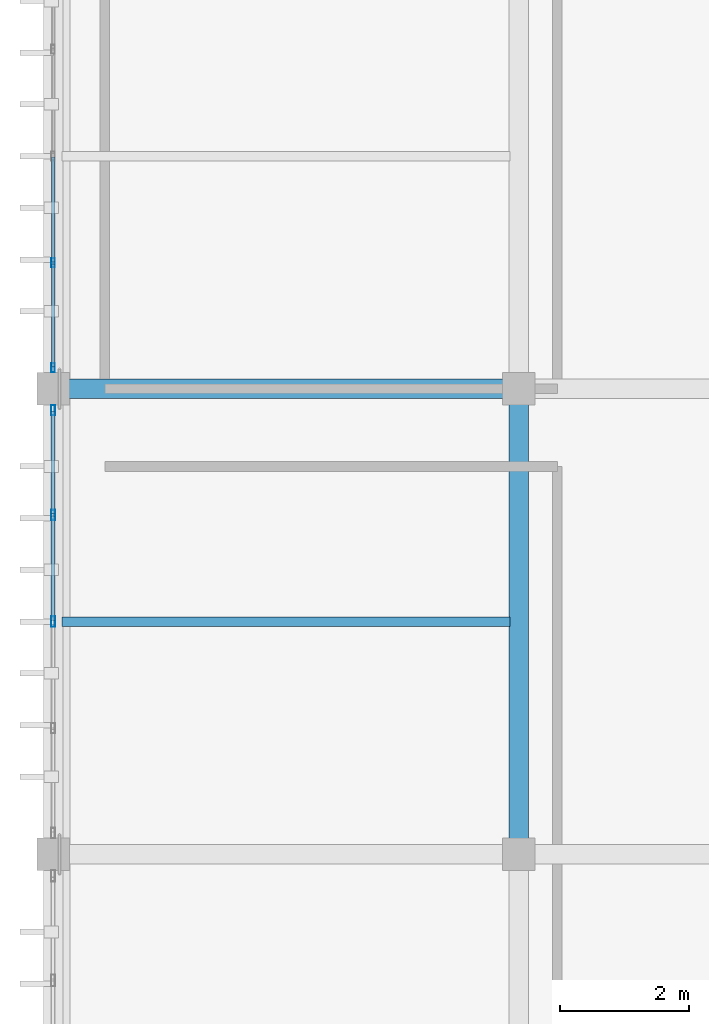
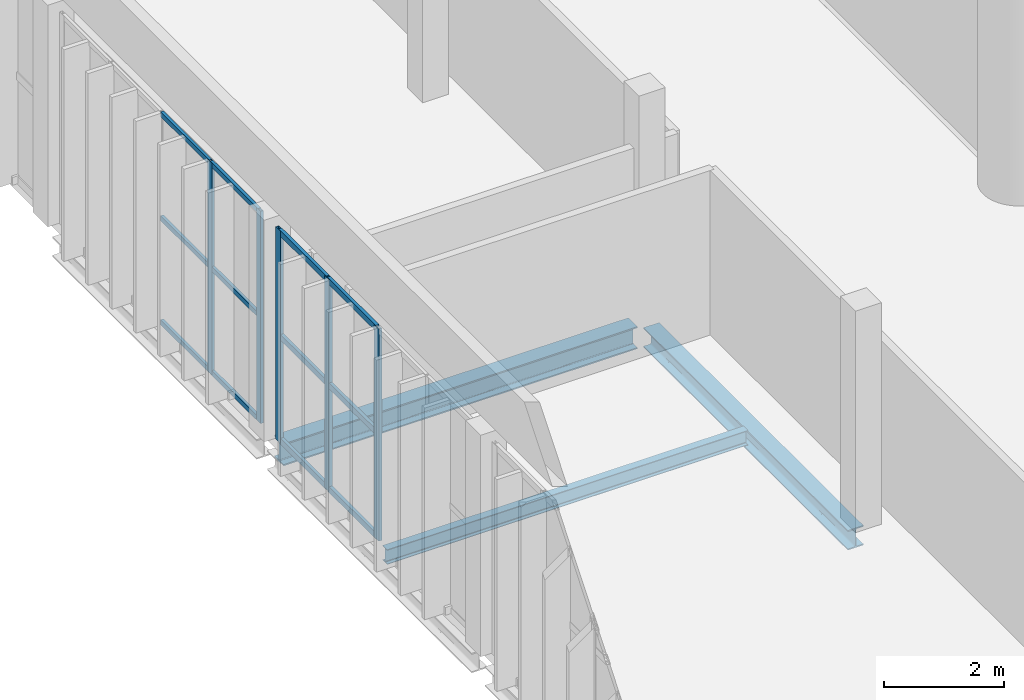
# One storey, part 25 of 64: 17 members, 3 beams, 2 elements without a shape of their own.
"""IFC4 building model written with IfcOpenShell, lengths in metres."""

from ifc_helpers import new_model, si_unit, direction, frame, origin, origin_2d, place, context, subcontext, project, spatial, hollow_rectangle, i_section, extrude, material, material_profile, profile_set, type_object, element, aggregate, save


model = new_model("IFC4")

# Units and contexts
model_context = context("Model", 3, precision=1e-05, world=origin(), true_north=direction((0.0, 1.0)))
body_context = subcontext(model_context, "Body", "Model", "MODEL_VIEW")
ifc_project = project(units=[si_unit("LENGTHUNIT", "METRE"), si_unit("AREAUNIT", "SQUARE_METRE"), si_unit("VOLUMEUNIT", "CUBIC_METRE"), si_unit("PLANEANGLEUNIT", "RADIAN"), si_unit("MASSUNIT", "GRAM", prefix="KILO")], contexts=[model_context])

# Site, building, storey
site_placement = place(None, origin())
site = spatial("IfcSite", under=ifc_project, at=site_placement, CompositionType="ELEMENT")
building_placement = place(site_placement, origin())
building = spatial("IfcBuilding", under=site, at=building_placement, Name="Qandorah Velis Arena", CompositionType="ELEMENT")
storey_placement = place(building_placement, frame((0.0, 0.0, 23.0)))
storey = spatial("IfcBuildingStorey", under=building, at=storey_placement, Name="L05", CompositionType="ELEMENT", Elevation=23.0)

# Curtain wall, members
ifc_material_1 = material(Name="Solar-control low-E double glazing", Category="glass")
curtain_wall_type_1 = type_object("IfcCurtainWallType", Name="ARC-CW-SYS04", PredefinedType="USERDEFINED", material=ifc_material_1)
curtain_wall_1_placement = place(storey_placement, origin())
curtain_wall_1 = element("IfcCurtainWall", 1, at=curtain_wall_1_placement, inside=storey, type_object=curtain_wall_type_1, Name="Unitised curtain wall L05-052", ObjectType="UNITISED CURTAIN WALL", PredefinedType="USERDEFINED")
ifc_material_2 = material(Name="Champagne-bronze anodized aluminium 6063-T6", Category="aluminium")
ifc_material_profile_1 = material_profile(ifc_material_2, hollow_rectangle(XDim=0.054931640625, YDim=0.139892578125, WallThickness=0.0029296875, at=origin_2d()), Name="ALU MULLION 55x140")
ifc_profile_set_1 = profile_set([ifc_material_profile_1], Name="Champagne-bronze anodized aluminium 6063-T6")
member_type_1 = type_object("IfcMemberType", Name="ARC-CWM-140", PredefinedType="MULLION", material=ifc_profile_set_1)
member_1_placement = place(storey_placement, frame((0.0, 101.12744140625, -0.014892578125), z_axis=(0.0, 0.0, 1.0), x_axis=(-1.0, 0.0, 0.0)))
member_1 = element("IfcMember", 2, at=member_1_placement, type_object=member_type_1, Name="CW04 mullion 1", PredefinedType="MULLION", context=body_context, shape_type="SweptSolid", body=[
    extrude(hollow_rectangle(XDim=0.054931640625, YDim=0.139892578125, WallThickness=0.0029296875, at=origin_2d()), origin(), (0.0, 0.0, 1.0), 4.309814453125),
])
member_2_placement = place(storey_placement, frame((0.0, 102.75, -0.014892578125), z_axis=(0.0, 0.0, 1.0), x_axis=(-1.0, 0.0, 0.0)))
member_2 = element("IfcMember", 3, at=member_2_placement, type_object=member_type_1, Name="CW04 mullion 2", PredefinedType="MULLION", context=body_context, shape_type="SweptSolid", body=[
    extrude(hollow_rectangle(XDim=0.054931640625, YDim=0.139892578125, WallThickness=0.0029296875, at=origin_2d()), origin(), (0.0, 0.0, 1.0), 4.309814453125),
])

curtain_wall_type_2 = type_object("IfcCurtainWallType", Name="ARC-CW-SYS03", PredefinedType="USERDEFINED", material=ifc_material_1)
curtain_wall_2_placement = place(storey_placement, origin())
curtain_wall_2 = element("IfcCurtainWall", 4, at=curtain_wall_2_placement, inside=storey, type_object=curtain_wall_type_2, Name="Unitised curtain wall L05-051", ObjectType="UNITISED CURTAIN WALL", PredefinedType="USERDEFINED")
ifc_material_profile_2 = material_profile(ifc_material_2, hollow_rectangle(XDim=0.06005859375, YDim=0.159912109375, WallThickness=0.00341796875, at=origin_2d()), Name="ALU MULLION 60x160")
ifc_profile_set_2 = profile_set([ifc_material_profile_2], Name="Champagne-bronze anodized aluminium 6063-T6")
member_type_2 = type_object("IfcMemberType", Name="ARC-CWM-160", PredefinedType="MULLION", material=ifc_profile_set_2)
member_3_placement = place(storey_placement, frame((0.0, 97.199951171875, -0.014892578125), z_axis=(0.0, 0.0, 1.0), x_axis=(-1.0, 0.0, 0.0)))
member_3 = element("IfcMember", 5, at=member_3_placement, type_object=member_type_2, Name="CW03 mullion 3", PredefinedType="MULLION", context=body_context, shape_type="SweptSolid", body=[
    extrude(hollow_rectangle(XDim=0.06005859375, YDim=0.159912109375, WallThickness=0.00341796875, at=origin_2d()), origin(), (0.0, 0.0, 1.0), 4.309814453125),
])
member_4_placement = place(storey_placement, frame((0.0, 98.85009765625, -0.014892578125), z_axis=(0.0, 0.0, 1.0), x_axis=(-1.0, 0.0, 0.0)))
member_4 = element("IfcMember", 6, at=member_4_placement, type_object=member_type_2, Name="CW03 mullion 4", PredefinedType="MULLION", context=body_context, shape_type="SweptSolid", body=[
    extrude(hollow_rectangle(XDim=0.06005859375, YDim=0.159912109375, WallThickness=0.00341796875, at=origin_2d()), origin(), (0.0, 0.0, 1.0), 4.309814453125),
])
member_5_placement = place(storey_placement, frame((0.0, 100.469970703125, -0.014892578125), z_axis=(0.0, 0.0, 1.0), x_axis=(-1.0, 0.0, 0.0)))
member_5 = element("IfcMember", 7, at=member_5_placement, type_object=member_type_2, Name="CW03 mullion 5", PredefinedType="MULLION", context=body_context, shape_type="SweptSolid", body=[
    extrude(hollow_rectangle(XDim=0.06005859375, YDim=0.159912109375, WallThickness=0.00341796875, at=origin_2d()), origin(), (0.0, 0.0, 1.0), 4.309814453125),
])

# Member
ifc_material_profile_3 = material_profile(ifc_material_2, hollow_rectangle(XDim=0.054931640625, YDim=0.10009765625, WallThickness=0.0029296875, at=origin_2d()), Name="ALU TRANSOM 55x100")
ifc_profile_set_3 = profile_set([ifc_material_profile_3], Name="Champagne-bronze anodized aluminium 6063-T6")
member_type_3 = type_object("IfcMemberType", Name="ARC-CWT-100", PredefinedType="USERDEFINED", material=ifc_profile_set_3)
member_6_placement = place(storey_placement, frame((0.0, 101.14306640625, 0.027587890625), z_axis=(0.0, 1.0, 0.0), x_axis=(-1.0, 0.0, 0.0)))
member_6 = element("IfcMember", 8, at=member_6_placement, type_object=member_type_3, Name="CW04 transom 1.1", ObjectType="TRANSOM", PredefinedType="USERDEFINED", context=body_context, shape_type="SweptSolid", body=[
    extrude(hollow_rectangle(XDim=0.054931640625, YDim=0.10009765625, WallThickness=0.0029296875, at=origin_2d()), origin(), (0.0, 0.0, 1.0), 1.591552734375),
])

member_7_placement = place(storey_placement, frame((0.0, 101.14306640625, 2.139892578125), z_axis=(0.0, 1.0, 0.0), x_axis=(-1.0, 0.0, 0.0)))
member_7 = element("IfcMember", 9, at=member_7_placement, type_object=member_type_3, Name="CW04 transom 1.2", ObjectType="TRANSOM", PredefinedType="USERDEFINED", context=body_context, shape_type="SweptSolid", body=[
    extrude(hollow_rectangle(XDim=0.054931640625, YDim=0.10009765625, WallThickness=0.0029296875, at=origin_2d()), origin(), (0.0, 0.0, 1.0), 1.591552734375),
])

member_8_placement = place(storey_placement, frame((0.0, 101.14306640625, 4.25244140625), z_axis=(0.0, 1.0, 0.0), x_axis=(-1.0, 0.0, 0.0)))
member_8 = element("IfcMember", 10, at=member_8_placement, type_object=member_type_3, Name="CW04 transom 1.3", ObjectType="TRANSOM", PredefinedType="USERDEFINED", context=body_context, shape_type="SweptSolid", body=[
    extrude(hollow_rectangle(XDim=0.054931640625, YDim=0.10009765625, WallThickness=0.0029296875, at=origin_2d()), origin(), (0.0, 0.0, 1.0), 1.591552734375),
])

member_9_placement = place(storey_placement, frame((0.0, 102.765380859375, 0.027587890625), z_axis=(0.0, 1.0, 0.0), x_axis=(-1.0, 0.0, 0.0)))
member_9 = element("IfcMember", 11, at=member_9_placement, type_object=member_type_3, Name="CW04 transom 2.1", ObjectType="TRANSOM", PredefinedType="USERDEFINED", context=body_context, shape_type="SweptSolid", body=[
    extrude(hollow_rectangle(XDim=0.054931640625, YDim=0.10009765625, WallThickness=0.0029296875, at=origin_2d()), origin(), (0.0, 0.0, 1.0), 1.619140625),
])

member_10_placement = place(storey_placement, frame((0.0, 102.765380859375, 2.139892578125), z_axis=(0.0, 1.0, 0.0), x_axis=(-1.0, 0.0, 0.0)))
member_10 = element("IfcMember", 12, at=member_10_placement, type_object=member_type_3, Name="CW04 transom 2.2", ObjectType="TRANSOM", PredefinedType="USERDEFINED", context=body_context, shape_type="SweptSolid", body=[
    extrude(hollow_rectangle(XDim=0.054931640625, YDim=0.10009765625, WallThickness=0.0029296875, at=origin_2d()), origin(), (0.0, 0.0, 1.0), 1.619140625),
])

member_11_placement = place(storey_placement, frame((0.0, 102.765380859375, 4.25244140625), z_axis=(0.0, 1.0, 0.0), x_axis=(-1.0, 0.0, 0.0)))
member_11 = element("IfcMember", 13, at=member_11_placement, type_object=member_type_3, Name="CW04 transom 2.3", ObjectType="TRANSOM", PredefinedType="USERDEFINED", context=body_context, shape_type="SweptSolid", body=[
    extrude(hollow_rectangle(XDim=0.054931640625, YDim=0.10009765625, WallThickness=0.0029296875, at=origin_2d()), origin(), (0.0, 0.0, 1.0), 1.619140625),
])

aggregate(curtain_wall_1, [member_1, member_2, member_6, member_7, member_8, member_9, member_10, member_11])

ifc_material_profile_4 = material_profile(ifc_material_2, hollow_rectangle(XDim=0.06005859375, YDim=0.1201171875, WallThickness=0.0029296875, at=origin_2d()), Name="ALU TRANSOM 60x120")
ifc_profile_set_4 = profile_set([ifc_material_profile_4], Name="Champagne-bronze anodized aluminium 6063-T6")
member_type_4 = type_object("IfcMemberType", Name="ARC-CWT-120", PredefinedType="USERDEFINED", material=ifc_profile_set_4)
member_12_placement = place(storey_placement, frame((0.0, 97.218017578125, 0.030029296875), z_axis=(0.0, 1.0, 0.0), x_axis=(-1.0, 0.0, 0.0)))
member_12 = element("IfcMember", 14, at=member_12_placement, type_object=member_type_4, Name="CW03 transom 3.1", ObjectType="TRANSOM", PredefinedType="USERDEFINED", context=body_context, shape_type="SweptSolid", body=[
    extrude(hollow_rectangle(XDim=0.06005859375, YDim=0.1201171875, WallThickness=0.0029296875, at=origin_2d()), origin(), (0.0, 0.0, 1.0), 1.614013671875),
])

member_13_placement = place(storey_placement, frame((0.0, 97.218017578125, 2.139892578125), z_axis=(0.0, 1.0, 0.0), x_axis=(-1.0, 0.0, 0.0)))
member_13 = element("IfcMember", 15, at=member_13_placement, type_object=member_type_4, Name="CW03 transom 3.2", ObjectType="TRANSOM", PredefinedType="USERDEFINED", context=body_context, shape_type="SweptSolid", body=[
    extrude(hollow_rectangle(XDim=0.06005859375, YDim=0.1201171875, WallThickness=0.0029296875, at=origin_2d()), origin(), (0.0, 0.0, 1.0), 1.614013671875),
])

member_14_placement = place(storey_placement, frame((0.0, 97.218017578125, 4.25), z_axis=(0.0, 1.0, 0.0), x_axis=(-1.0, 0.0, 0.0)))
member_14 = element("IfcMember", 16, at=member_14_placement, type_object=member_type_4, Name="CW03 transom 3.3", ObjectType="TRANSOM", PredefinedType="USERDEFINED", context=body_context, shape_type="SweptSolid", body=[
    extrude(hollow_rectangle(XDim=0.06005859375, YDim=0.1201171875, WallThickness=0.0029296875, at=origin_2d()), origin(), (0.0, 0.0, 1.0), 1.614013671875),
])

member_15_placement = place(storey_placement, frame((0.0, 98.867919921875, 0.030029296875), z_axis=(0.0, 1.0, 0.0), x_axis=(-1.0, 0.0, 0.0)))
member_15 = element("IfcMember", 17, at=member_15_placement, type_object=member_type_4, Name="CW03 transom 4.1", ObjectType="TRANSOM", PredefinedType="USERDEFINED", context=body_context, shape_type="SweptSolid", body=[
    extrude(hollow_rectangle(XDim=0.06005859375, YDim=0.1201171875, WallThickness=0.0029296875, at=origin_2d()), origin(), (0.0, 0.0, 1.0), 1.583984375),
])

member_16_placement = place(storey_placement, frame((0.0, 98.867919921875, 2.139892578125), z_axis=(0.0, 1.0, 0.0), x_axis=(-1.0, 0.0, 0.0)))
member_16 = element("IfcMember", 18, at=member_16_placement, type_object=member_type_4, Name="CW03 transom 4.2", ObjectType="TRANSOM", PredefinedType="USERDEFINED", context=body_context, shape_type="SweptSolid", body=[
    extrude(hollow_rectangle(XDim=0.06005859375, YDim=0.1201171875, WallThickness=0.0029296875, at=origin_2d()), origin(), (0.0, 0.0, 1.0), 1.583984375),
])

member_17_placement = place(storey_placement, frame((0.0, 98.867919921875, 4.25), z_axis=(0.0, 1.0, 0.0), x_axis=(-1.0, 0.0, 0.0)))
member_17 = element("IfcMember", 19, at=member_17_placement, type_object=member_type_4, Name="CW03 transom 4.3", ObjectType="TRANSOM", PredefinedType="USERDEFINED", context=body_context, shape_type="SweptSolid", body=[
    extrude(hollow_rectangle(XDim=0.06005859375, YDim=0.1201171875, WallThickness=0.0029296875, at=origin_2d()), origin(), (0.0, 0.0, 1.0), 1.583984375),
])

aggregate(curtain_wall_2, [member_3, member_4, member_5, member_12, member_13, member_14, member_15, member_16, member_17])

# Beams
ifc_material_3 = material(Name="Steel S355", Category="steel")
ifc_material_profile_5 = material_profile(ifc_material_3, i_section(OverallWidth=0.300048828125, OverallDepth=0.39990234375, WebThickness=0.013427734375, FlangeThickness=0.02392578125, FilletRadius=0.027099609375, at=origin_2d()), Name="HEB 400")
ifc_profile_set_5 = profile_set([ifc_material_profile_5], Name="Steel S355")
beam_type_1 = type_object("IfcBeamType", Name="STR-BM-HEB400", PredefinedType="BEAM", material=ifc_profile_set_5)
beam_1_placement = place(storey_placement, frame((7.199951171875, 93.778564453125, -0.449951171875), z_axis=(0.0, 1.0, 0.0), x_axis=(-1.0, 0.0, 0.0)))
element("IfcBeam", 20, at=beam_1_placement, inside=storey, type_object=beam_type_1, Name="Primary floor girder L05 Y-136", PredefinedType="BEAM", context=body_context, shape_type="SweptSolid", body=[
    extrude(i_section(OverallWidth=0.300048828125, OverallDepth=0.39990234375, WebThickness=0.013427734375, FlangeThickness=0.02392578125, FilletRadius=0.027099609375, at=origin_2d()), origin(), (0.0, 0.0, 1.0), 6.79638671875),
])
ifc_material_profile_6 = material_profile(ifc_material_3, i_section(OverallWidth=0.300048828125, OverallDepth=0.449951171875, WebThickness=0.013916015625, FlangeThickness=0.02587890625, FilletRadius=0.027099609375, at=origin_2d()), Name="HEB 450")
ifc_profile_set_6 = profile_set([ifc_material_profile_6], Name="Steel S355")
beam_type_2 = type_object("IfcBeamType", Name="STR-BM-HEB450", PredefinedType="BEAM", material=ifc_profile_set_6)
beam_2_placement = place(storey_placement, frame((0.178466796875, 100.800048828125, -0.47509765625), z_axis=(1.0, 0.0, 0.0), x_axis=(0.0, 1.0, 0.0)))
element("IfcBeam", 21, at=beam_2_placement, inside=storey, type_object=beam_type_2, Name="Primary floor girder L05 X-070", PredefinedType="BEAM", context=body_context, shape_type="SweptSolid", body=[
    extrude(i_section(OverallWidth=0.300048828125, OverallDepth=0.449951171875, WebThickness=0.013916015625, FlangeThickness=0.02587890625, FilletRadius=0.027099609375, at=origin_2d()), origin(), (0.0, 0.0, 1.0), 6.796630859375),
])
ifc_material_profile_7 = material_profile(ifc_material_3, i_section(OverallWidth=0.14990234375, OverallDepth=0.300048828125, WebThickness=0.007080078125, FlangeThickness=0.0107421875, FilletRadius=0.014892578125, at=origin_2d()), Name="IPE 300")
ifc_profile_set_7 = profile_set([ifc_material_profile_7], Name="Steel S355")
beam_type_3 = type_object("IfcBeamType", Name="STR-JST-IPE300", PredefinedType="JOIST", material=ifc_profile_set_7)
beam_3_placement = place(storey_placement, frame((0.135009765625, 97.199951171875, -0.39990234375), z_axis=(1.0, 0.0, 0.0), x_axis=(0.0, 1.0, 0.0)))
element("IfcBeam", 22, at=beam_3_placement, inside=storey, type_object=beam_type_3, Name="Secondary floor joist L05-007", PredefinedType="JOIST", context=body_context, shape_type="SweptSolid", body=[
    extrude(i_section(OverallWidth=0.14990234375, OverallDepth=0.300048828125, WebThickness=0.007080078125, FlangeThickness=0.0107421875, FilletRadius=0.014892578125, at=origin_2d()), origin(), (0.0, 0.0, 1.0), 6.929931640625),
])

save(model, "model.ifc")
